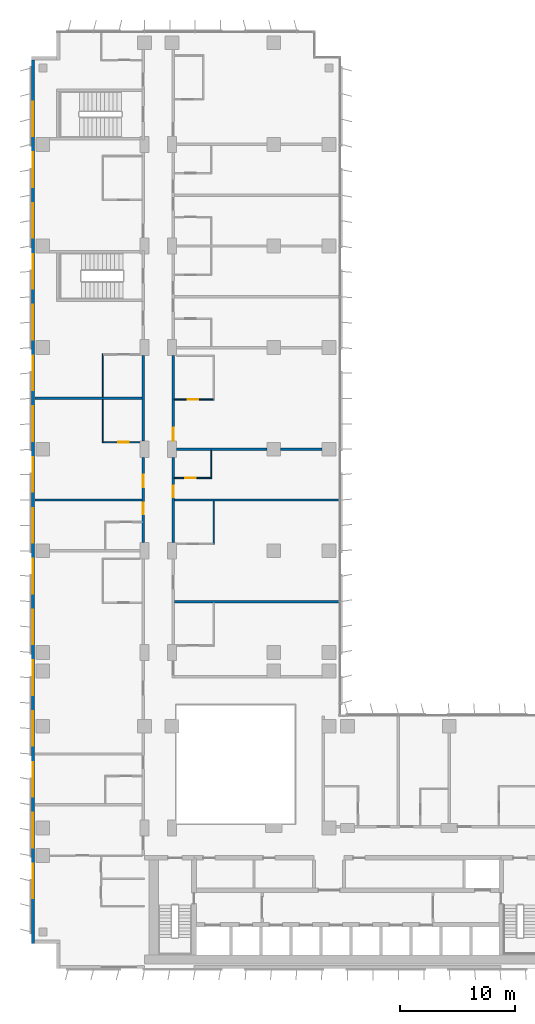
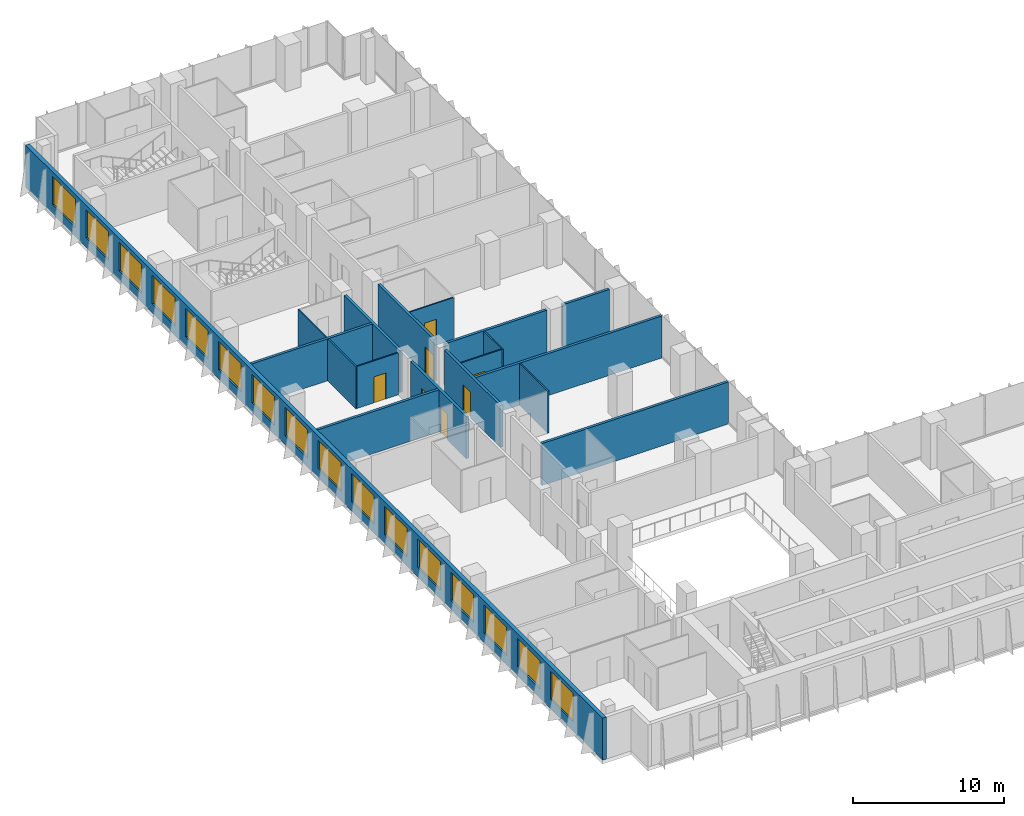
# One storey, part 15 of 22: 18 walls, 16 windows, 7 doors, 23 openings.
"""IFC4 building model written with IfcOpenShell, lengths in metres."""

from ifc_helpers import new_model, si_unit, direction, frame, frame_2d, origin, place, context, subcontext, project, spatial, rectangle, extrude, material, layer, layer_set, type_object, element, fill, save


model = new_model("IFC4")

# Units and contexts
model_context = context("Model", 3, precision=1e-05, world=origin(), true_north=direction((0.0, 1.0)))
body_context = subcontext(model_context, "Body", "Model", "MODEL_VIEW")
ifc_project = project(units=[si_unit("LENGTHUNIT", "METRE"), si_unit("AREAUNIT", "SQUARE_METRE"), si_unit("VOLUMEUNIT", "CUBIC_METRE"), si_unit("PLANEANGLEUNIT", "RADIAN"), si_unit("MASSUNIT", "GRAM", prefix="KILO")], contexts=[model_context])

# Site, building, storey
site_placement = place(None, origin())
site = spatial("IfcSite", under=ifc_project, at=site_placement, CompositionType="ELEMENT")
building_placement = place(site_placement, origin())
building = spatial("IfcBuilding", under=site, at=building_placement, Name="Kemantara Hotel Tower", CompositionType="ELEMENT")
storey_placement = place(building_placement, frame((0.0, 0.0, 94.5)))
storey = spatial("IfcBuildingStorey", under=building, at=storey_placement, Name="L22", CompositionType="ELEMENT", Elevation=94.5)

# Wall, openings, windows
ifc_material_1 = material(Name="Bronze anodised aluminium cladding on insulated steel stud wall", Category="steel")
ifc_layer_1 = layer(ifc_material_1, 0.300048828125)
ifc_layer_set_1 = layer_set([ifc_layer_1], Name="Bronze anodised aluminium cladding on insulated steel stud wall")
wall_type_1 = type_object("IfcWallType", Name="BRONZE METAL-CLAD EXTERNAL WALL 300", PredefinedType="STANDARD", material=ifc_layer_set_1)
wall_1_placement = place(storey_placement, frame((0.14990234375, 78.699951171875, 0.0), z_axis=(0.0, 0.0, 1.0), x_axis=(0.0, -1.0, 0.0)))
wall_1 = element("IfcWall", 1, at=wall_1_placement, inside=storey, type_object=wall_type_1, Name="EXTERNAL WALL L22 T2-R04", PredefinedType="STANDARD", context=body_context, shape_type="SweptSolid", body=[
    extrude(rectangle(XDim=76.5, YDim=0.300048828125, at=frame_2d((38.25, 0.0))), origin(), (0.0, 0.0, 1.0), 3.39990234375),
])
opening_1_placement = place(wall_1_placement, frame((3.60009765625, 0.0, 0.75)))
opening_1 = element("IfcOpeningElement", 2, at=opening_1_placement, cuts=wall_1, Name="Opening W1", PredefinedType="OPENING", context=body_context, shape_type="SweptSolid", body=[
    extrude(rectangle(XDim=3.0, YDim=2.300048828125, at=frame_2d((1.5, 1.14990234375))), frame((0.0, 0.159912109375, 0.0), z_axis=(0.0, -1.0, 0.0), x_axis=(1.0, 0.0, 0.0)), (0.0, 0.0, 1.0), 0.320068359375),
])
opening_2_placement = place(wall_1_placement, frame((8.0, 0.0, 0.75)))
opening_2 = element("IfcOpeningElement", 3, at=opening_2_placement, cuts=wall_1, Name="Opening W1", PredefinedType="OPENING", context=body_context, shape_type="SweptSolid", body=[
    extrude(rectangle(XDim=3.0, YDim=2.300048828125, at=frame_2d((1.5, 1.14990234375))), frame((0.0, 0.159912109375, 0.0), z_axis=(0.0, -1.0, 0.0), x_axis=(1.0, 0.0, 0.0)), (0.0, 0.0, 1.0), 0.320068359375),
])
opening_3_placement = place(wall_1_placement, frame((12.39990234375, 0.0, 0.75)))
opening_3 = element("IfcOpeningElement", 4, at=opening_3_placement, cuts=wall_1, Name="Opening W1", PredefinedType="OPENING", context=body_context, shape_type="SweptSolid", body=[
    extrude(rectangle(XDim=3.0, YDim=2.300048828125, at=frame_2d((1.5, 1.14990234375))), frame((0.0, 0.159912109375, 0.0), z_axis=(0.0, -1.0, 0.0), x_axis=(1.0, 0.0, 0.0)), (0.0, 0.0, 1.0), 0.320068359375),
])
opening_4_placement = place(wall_1_placement, frame((16.800048828125, 0.0, 0.75)))
opening_4 = element("IfcOpeningElement", 5, at=opening_4_placement, cuts=wall_1, Name="Opening W1", PredefinedType="OPENING", context=body_context, shape_type="SweptSolid", body=[
    extrude(rectangle(XDim=3.0, YDim=2.300048828125, at=frame_2d((1.5, 1.14990234375))), frame((0.0, 0.159912109375, 0.0), z_axis=(0.0, -1.0, 0.0), x_axis=(1.0, 0.0, 0.0)), (0.0, 0.0, 1.0), 0.320068359375),
])
opening_5_placement = place(wall_1_placement, frame((21.199951171875, 0.0, 0.75)))
opening_5 = element("IfcOpeningElement", 6, at=opening_5_placement, cuts=wall_1, Name="Opening W1", PredefinedType="OPENING", context=body_context, shape_type="SweptSolid", body=[
    extrude(rectangle(XDim=3.0, YDim=2.300048828125, at=frame_2d((1.5, 1.14990234375))), frame((0.0, 0.159912109375, 0.0), z_axis=(0.0, -1.0, 0.0), x_axis=(1.0, 0.0, 0.0)), (0.0, 0.0, 1.0), 0.320068359375),
])
opening_6_placement = place(wall_1_placement, frame((25.60009765625, 0.0, 0.75)))
opening_6 = element("IfcOpeningElement", 7, at=opening_6_placement, cuts=wall_1, Name="Opening W1", PredefinedType="OPENING", context=body_context, shape_type="SweptSolid", body=[
    extrude(rectangle(XDim=3.0, YDim=2.300048828125, at=frame_2d((1.5, 1.14990234375))), frame((0.0, 0.159912109375, 0.0), z_axis=(0.0, -1.0, 0.0), x_axis=(1.0, 0.0, 0.0)), (0.0, 0.0, 1.0), 0.320068359375),
])
opening_7_placement = place(wall_1_placement, frame((30.0, 0.0, 0.75)))
opening_7 = element("IfcOpeningElement", 8, at=opening_7_placement, cuts=wall_1, Name="Opening W1", PredefinedType="OPENING", context=body_context, shape_type="SweptSolid", body=[
    extrude(rectangle(XDim=3.0, YDim=2.300048828125, at=frame_2d((1.5, 1.14990234375))), frame((0.0, 0.159912109375, 0.0), z_axis=(0.0, -1.0, 0.0), x_axis=(1.0, 0.0, 0.0)), (0.0, 0.0, 1.0), 0.320068359375),
])
opening_8_placement = place(wall_1_placement, frame((34.39990234375, 0.0, 0.75)))
opening_8 = element("IfcOpeningElement", 9, at=opening_8_placement, cuts=wall_1, Name="Opening W1", PredefinedType="OPENING", context=body_context, shape_type="SweptSolid", body=[
    extrude(rectangle(XDim=3.0, YDim=2.300048828125, at=frame_2d((1.5, 1.14990234375))), frame((0.0, 0.159912109375, 0.0), z_axis=(0.0, -1.0, 0.0), x_axis=(1.0, 0.0, 0.0)), (0.0, 0.0, 1.0), 0.320068359375),
])
opening_9_placement = place(wall_1_placement, frame((38.800048828125, 0.0, 0.75)))
opening_9 = element("IfcOpeningElement", 10, at=opening_9_placement, cuts=wall_1, Name="Opening W1", PredefinedType="OPENING", context=body_context, shape_type="SweptSolid", body=[
    extrude(rectangle(XDim=3.0, YDim=2.300048828125, at=frame_2d((1.5, 1.14990234375))), frame((0.0, 0.159912109375, 0.0), z_axis=(0.0, -1.0, 0.0), x_axis=(1.0, 0.0, 0.0)), (0.0, 0.0, 1.0), 0.320068359375),
])
opening_10_placement = place(wall_1_placement, frame((43.199951171875, 0.0, 0.75)))
opening_10 = element("IfcOpeningElement", 11, at=opening_10_placement, cuts=wall_1, Name="Opening W1", PredefinedType="OPENING", context=body_context, shape_type="SweptSolid", body=[
    extrude(rectangle(XDim=3.0, YDim=2.300048828125, at=frame_2d((1.5, 1.14990234375))), frame((0.0, 0.159912109375, 0.0), z_axis=(0.0, -1.0, 0.0), x_axis=(1.0, 0.0, 0.0)), (0.0, 0.0, 1.0), 0.320068359375),
])
opening_11_placement = place(wall_1_placement, frame((47.60009765625, 0.0, 0.75)))
opening_11 = element("IfcOpeningElement", 12, at=opening_11_placement, cuts=wall_1, Name="Opening W1", PredefinedType="OPENING", context=body_context, shape_type="SweptSolid", body=[
    extrude(rectangle(XDim=3.0, YDim=2.300048828125, at=frame_2d((1.5, 1.14990234375))), frame((0.0, 0.159912109375, 0.0), z_axis=(0.0, -1.0, 0.0), x_axis=(1.0, 0.0, 0.0)), (0.0, 0.0, 1.0), 0.320068359375),
])
opening_12_placement = place(wall_1_placement, frame((52.0, 0.0, 0.75)))
opening_12 = element("IfcOpeningElement", 13, at=opening_12_placement, cuts=wall_1, Name="Opening W1", PredefinedType="OPENING", context=body_context, shape_type="SweptSolid", body=[
    extrude(rectangle(XDim=3.0, YDim=2.300048828125, at=frame_2d((1.5, 1.14990234375))), frame((0.0, 0.159912109375, 0.0), z_axis=(0.0, -1.0, 0.0), x_axis=(1.0, 0.0, 0.0)), (0.0, 0.0, 1.0), 0.320068359375),
])
opening_13_placement = place(wall_1_placement, frame((56.39990234375, 0.0, 0.75)))
opening_13 = element("IfcOpeningElement", 14, at=opening_13_placement, cuts=wall_1, Name="Opening W1", PredefinedType="OPENING", context=body_context, shape_type="SweptSolid", body=[
    extrude(rectangle(XDim=3.0, YDim=2.300048828125, at=frame_2d((1.5, 1.14990234375))), frame((0.0, 0.159912109375, 0.0), z_axis=(0.0, -1.0, 0.0), x_axis=(1.0, 0.0, 0.0)), (0.0, 0.0, 1.0), 0.320068359375),
])
opening_14_placement = place(wall_1_placement, frame((60.800048828125, 0.0, 0.75)))
opening_14 = element("IfcOpeningElement", 15, at=opening_14_placement, cuts=wall_1, Name="Opening W1", PredefinedType="OPENING", context=body_context, shape_type="SweptSolid", body=[
    extrude(rectangle(XDim=3.0, YDim=2.300048828125, at=frame_2d((1.5, 1.14990234375))), frame((0.0, 0.159912109375, 0.0), z_axis=(0.0, -1.0, 0.0), x_axis=(1.0, 0.0, 0.0)), (0.0, 0.0, 1.0), 0.320068359375),
])
opening_15_placement = place(wall_1_placement, frame((65.199951171875, 0.0, 0.75)))
opening_15 = element("IfcOpeningElement", 16, at=opening_15_placement, cuts=wall_1, Name="Opening W1", PredefinedType="OPENING", context=body_context, shape_type="SweptSolid", body=[
    extrude(rectangle(XDim=3.0, YDim=2.300048828125, at=frame_2d((1.5, 1.14990234375))), frame((0.0, 0.159912109375, 0.0), z_axis=(0.0, -1.0, 0.0), x_axis=(1.0, 0.0, 0.0)), (0.0, 0.0, 1.0), 0.320068359375),
])
opening_16_placement = place(wall_1_placement, frame((69.60009765625, 0.0, 0.75)))
opening_16 = element("IfcOpeningElement", 17, at=opening_16_placement, cuts=wall_1, Name="Opening W1", PredefinedType="OPENING", context=body_context, shape_type="SweptSolid", body=[
    extrude(rectangle(XDim=3.0, YDim=2.300048828125, at=frame_2d((1.5, 1.14990234375))), frame((0.0, 0.159912109375, 0.0), z_axis=(0.0, -1.0, 0.0), x_axis=(1.0, 0.0, 0.0)), (0.0, 0.0, 1.0), 0.320068359375),
])
ifc_material_2 = material(Name="Low-E tinted double insulated glass in bronze anodised aluminium frame", Category="aluminium")
window_type = type_object("IfcWindowType", Name="CHICAGO WINDOW, TRIPLE PANEL 3000x2300", PartitioningType="TRIPLE_PANEL_VERTICAL", PredefinedType="WINDOW", material=ifc_material_2)
window_1_placement = place(opening_1_placement, origin())
window_1 = element("IfcWindow", 18, at=window_1_placement, inside=storey, type_object=window_type, Name="CHICAGO WINDOW L22 T2-R04-54", OverallHeight=2.300048828125, OverallWidth=3.0, PartitioningType="SINGLE_PANEL", PredefinedType="WINDOW", context=body_context, shape_type="SweptSolid", body=[
    extrude(rectangle(XDim=3.0, YDim=2.300048828125, at=frame_2d((1.5, 1.14990234375))), frame((0.0, 0.030029296875, 0.0), z_axis=(0.0, -1.0, 0.0), x_axis=(1.0, 0.0, 0.0)), (0.0, 0.0, 1.0), 0.06005859375),
])
fill(opening_1, window_1)
window_2_placement = place(opening_2_placement, origin())
window_2 = element("IfcWindow", 19, at=window_2_placement, inside=storey, type_object=window_type, Name="CHICAGO WINDOW L22 T2-R04-98", OverallHeight=2.300048828125, OverallWidth=3.0, PartitioningType="SINGLE_PANEL", PredefinedType="WINDOW", context=body_context, shape_type="SweptSolid", body=[
    extrude(rectangle(XDim=3.0, YDim=2.300048828125, at=frame_2d((1.5, 1.14990234375))), frame((0.0, 0.030029296875, 0.0), z_axis=(0.0, -1.0, 0.0), x_axis=(1.0, 0.0, 0.0)), (0.0, 0.0, 1.0), 0.06005859375),
])
fill(opening_2, window_2)
window_3_placement = place(opening_3_placement, origin())
window_3 = element("IfcWindow", 20, at=window_3_placement, inside=storey, type_object=window_type, Name="CHICAGO WINDOW L22 T2-R04-142", OverallHeight=2.300048828125, OverallWidth=3.0, PartitioningType="SINGLE_PANEL", PredefinedType="WINDOW", context=body_context, shape_type="SweptSolid", body=[
    extrude(rectangle(XDim=3.0, YDim=2.300048828125, at=frame_2d((1.5, 1.14990234375))), frame((0.0, 0.030029296875, 0.0), z_axis=(0.0, -1.0, 0.0), x_axis=(1.0, 0.0, 0.0)), (0.0, 0.0, 1.0), 0.06005859375),
])
fill(opening_3, window_3)
window_4_placement = place(opening_4_placement, origin())
window_4 = element("IfcWindow", 21, at=window_4_placement, inside=storey, type_object=window_type, Name="CHICAGO WINDOW L22 T2-R04-186", OverallHeight=2.300048828125, OverallWidth=3.0, PartitioningType="SINGLE_PANEL", PredefinedType="WINDOW", context=body_context, shape_type="SweptSolid", body=[
    extrude(rectangle(XDim=3.0, YDim=2.300048828125, at=frame_2d((1.5, 1.14990234375))), frame((0.0, 0.030029296875, 0.0), z_axis=(0.0, -1.0, 0.0), x_axis=(1.0, 0.0, 0.0)), (0.0, 0.0, 1.0), 0.06005859375),
])
fill(opening_4, window_4)
window_5_placement = place(opening_5_placement, origin())
window_5 = element("IfcWindow", 22, at=window_5_placement, inside=storey, type_object=window_type, Name="CHICAGO WINDOW L22 T2-R04-230", OverallHeight=2.300048828125, OverallWidth=3.0, PartitioningType="SINGLE_PANEL", PredefinedType="WINDOW", context=body_context, shape_type="SweptSolid", body=[
    extrude(rectangle(XDim=3.0, YDim=2.300048828125, at=frame_2d((1.5, 1.14990234375))), frame((0.0, 0.030029296875, 0.0), z_axis=(0.0, -1.0, 0.0), x_axis=(1.0, 0.0, 0.0)), (0.0, 0.0, 1.0), 0.06005859375),
])
fill(opening_5, window_5)
window_6_placement = place(opening_6_placement, origin())
window_6 = element("IfcWindow", 23, at=window_6_placement, inside=storey, type_object=window_type, Name="CHICAGO WINDOW L22 T2-R04-274", OverallHeight=2.300048828125, OverallWidth=3.0, PartitioningType="SINGLE_PANEL", PredefinedType="WINDOW", context=body_context, shape_type="SweptSolid", body=[
    extrude(rectangle(XDim=3.0, YDim=2.300048828125, at=frame_2d((1.5, 1.14990234375))), frame((0.0, 0.030029296875, 0.0), z_axis=(0.0, -1.0, 0.0), x_axis=(1.0, 0.0, 0.0)), (0.0, 0.0, 1.0), 0.06005859375),
])
fill(opening_6, window_6)
window_7_placement = place(opening_7_placement, origin())
window_7 = element("IfcWindow", 24, at=window_7_placement, inside=storey, type_object=window_type, Name="CHICAGO WINDOW L22 T2-R04-318", OverallHeight=2.300048828125, OverallWidth=3.0, PartitioningType="SINGLE_PANEL", PredefinedType="WINDOW", context=body_context, shape_type="SweptSolid", body=[
    extrude(rectangle(XDim=3.0, YDim=2.300048828125, at=frame_2d((1.5, 1.14990234375))), frame((0.0, 0.030029296875, 0.0), z_axis=(0.0, -1.0, 0.0), x_axis=(1.0, 0.0, 0.0)), (0.0, 0.0, 1.0), 0.06005859375),
])
fill(opening_7, window_7)
window_8_placement = place(opening_8_placement, origin())
window_8 = element("IfcWindow", 25, at=window_8_placement, inside=storey, type_object=window_type, Name="CHICAGO WINDOW L22 T2-R04-362", OverallHeight=2.300048828125, OverallWidth=3.0, PartitioningType="SINGLE_PANEL", PredefinedType="WINDOW", context=body_context, shape_type="SweptSolid", body=[
    extrude(rectangle(XDim=3.0, YDim=2.300048828125, at=frame_2d((1.5, 1.14990234375))), frame((0.0, 0.030029296875, 0.0), z_axis=(0.0, -1.0, 0.0), x_axis=(1.0, 0.0, 0.0)), (0.0, 0.0, 1.0), 0.06005859375),
])
fill(opening_8, window_8)
window_9_placement = place(opening_9_placement, origin())
window_9 = element("IfcWindow", 26, at=window_9_placement, inside=storey, type_object=window_type, Name="CHICAGO WINDOW L22 T2-R04-406", OverallHeight=2.300048828125, OverallWidth=3.0, PartitioningType="SINGLE_PANEL", PredefinedType="WINDOW", context=body_context, shape_type="SweptSolid", body=[
    extrude(rectangle(XDim=3.0, YDim=2.300048828125, at=frame_2d((1.5, 1.14990234375))), frame((0.0, 0.030029296875, 0.0), z_axis=(0.0, -1.0, 0.0), x_axis=(1.0, 0.0, 0.0)), (0.0, 0.0, 1.0), 0.06005859375),
])
fill(opening_9, window_9)
window_10_placement = place(opening_10_placement, origin())
window_10 = element("IfcWindow", 27, at=window_10_placement, inside=storey, type_object=window_type, Name="CHICAGO WINDOW L22 T2-R04-450", OverallHeight=2.300048828125, OverallWidth=3.0, PartitioningType="SINGLE_PANEL", PredefinedType="WINDOW", context=body_context, shape_type="SweptSolid", body=[
    extrude(rectangle(XDim=3.0, YDim=2.300048828125, at=frame_2d((1.5, 1.14990234375))), frame((0.0, 0.030029296875, 0.0), z_axis=(0.0, -1.0, 0.0), x_axis=(1.0, 0.0, 0.0)), (0.0, 0.0, 1.0), 0.06005859375),
])
fill(opening_10, window_10)
window_11_placement = place(opening_11_placement, origin())
window_11 = element("IfcWindow", 28, at=window_11_placement, inside=storey, type_object=window_type, Name="CHICAGO WINDOW L22 T2-R04-494", OverallHeight=2.300048828125, OverallWidth=3.0, PartitioningType="SINGLE_PANEL", PredefinedType="WINDOW", context=body_context, shape_type="SweptSolid", body=[
    extrude(rectangle(XDim=3.0, YDim=2.300048828125, at=frame_2d((1.5, 1.14990234375))), frame((0.0, 0.030029296875, 0.0), z_axis=(0.0, -1.0, 0.0), x_axis=(1.0, 0.0, 0.0)), (0.0, 0.0, 1.0), 0.06005859375),
])
fill(opening_11, window_11)
window_12_placement = place(opening_12_placement, origin())
window_12 = element("IfcWindow", 29, at=window_12_placement, inside=storey, type_object=window_type, Name="CHICAGO WINDOW L22 T2-R04-538", OverallHeight=2.300048828125, OverallWidth=3.0, PartitioningType="SINGLE_PANEL", PredefinedType="WINDOW", context=body_context, shape_type="SweptSolid", body=[
    extrude(rectangle(XDim=3.0, YDim=2.300048828125, at=frame_2d((1.5, 1.14990234375))), frame((0.0, 0.030029296875, 0.0), z_axis=(0.0, -1.0, 0.0), x_axis=(1.0, 0.0, 0.0)), (0.0, 0.0, 1.0), 0.06005859375),
])
fill(opening_12, window_12)
window_13_placement = place(opening_13_placement, origin())
window_13 = element("IfcWindow", 30, at=window_13_placement, inside=storey, type_object=window_type, Name="CHICAGO WINDOW L22 T2-R04-582", OverallHeight=2.300048828125, OverallWidth=3.0, PartitioningType="SINGLE_PANEL", PredefinedType="WINDOW", context=body_context, shape_type="SweptSolid", body=[
    extrude(rectangle(XDim=3.0, YDim=2.300048828125, at=frame_2d((1.5, 1.14990234375))), frame((0.0, 0.030029296875, 0.0), z_axis=(0.0, -1.0, 0.0), x_axis=(1.0, 0.0, 0.0)), (0.0, 0.0, 1.0), 0.06005859375),
])
fill(opening_13, window_13)
window_14_placement = place(opening_14_placement, origin())
window_14 = element("IfcWindow", 31, at=window_14_placement, inside=storey, type_object=window_type, Name="CHICAGO WINDOW L22 T2-R04-626", OverallHeight=2.300048828125, OverallWidth=3.0, PartitioningType="SINGLE_PANEL", PredefinedType="WINDOW", context=body_context, shape_type="SweptSolid", body=[
    extrude(rectangle(XDim=3.0, YDim=2.300048828125, at=frame_2d((1.5, 1.14990234375))), frame((0.0, 0.030029296875, 0.0), z_axis=(0.0, -1.0, 0.0), x_axis=(1.0, 0.0, 0.0)), (0.0, 0.0, 1.0), 0.06005859375),
])
fill(opening_14, window_14)
window_15_placement = place(opening_15_placement, origin())
window_15 = element("IfcWindow", 32, at=window_15_placement, inside=storey, type_object=window_type, Name="CHICAGO WINDOW L22 T2-R04-670", OverallHeight=2.300048828125, OverallWidth=3.0, PartitioningType="SINGLE_PANEL", PredefinedType="WINDOW", context=body_context, shape_type="SweptSolid", body=[
    extrude(rectangle(XDim=3.0, YDim=2.300048828125, at=frame_2d((1.5, 1.14990234375))), frame((0.0, 0.030029296875, 0.0), z_axis=(0.0, -1.0, 0.0), x_axis=(1.0, 0.0, 0.0)), (0.0, 0.0, 1.0), 0.06005859375),
])
fill(opening_15, window_15)
window_16_placement = place(opening_16_placement, origin())
window_16 = element("IfcWindow", 33, at=window_16_placement, inside=storey, type_object=window_type, Name="CHICAGO WINDOW L22 T2-R04-714", OverallHeight=2.300048828125, OverallWidth=3.0, PartitioningType="SINGLE_PANEL", PredefinedType="WINDOW", context=body_context, shape_type="SweptSolid", body=[
    extrude(rectangle(XDim=3.0, YDim=2.300048828125, at=frame_2d((1.5, 1.14990234375))), frame((0.0, 0.030029296875, 0.0), z_axis=(0.0, -1.0, 0.0), x_axis=(1.0, 0.0, 0.0)), (0.0, 0.0, 1.0), 0.06005859375),
])
fill(opening_16, window_16)

# Wall, openings, doors
ifc_material_3 = material(Name="Gypsum board partition, steel studs and mineral wool, 200 mm", Category="steel")
ifc_layer_2 = layer(ifc_material_3, 0.199951171875)
ifc_layer_set_2 = layer_set([ifc_layer_2], Name="Gypsum board partition, steel studs and mineral wool, 200 mm")
wall_type_2 = type_object("IfcWallType", Name="CORRIDOR WALL 200", PredefinedType="PARTITIONING", material=ifc_layer_set_2)
wall_2_placement = place(storey_placement, frame((9.699951171875, 36.900146484375, 0.0), z_axis=(0.0, 0.0, 1.0), x_axis=(0.0, 1.0, 0.0)))
wall_2 = element("IfcWall", 34, at=wall_2_placement, inside=storey, type_object=wall_type_2, Name="CORRIDOR WALL 200 019", PredefinedType="PARTITIONING", context=body_context, shape_type="SweptSolid", body=[
    extrude(rectangle(XDim=7.399658203125, YDim=0.199951171875, at=frame_2d((3.69970703125, 0.0))), origin(), (0.0, 0.0, 1.0), 3.39990234375),
])
opening_17_placement = place(wall_2_placement, frame((2.449951171875, 0.0, 0.0)))
opening_17 = element("IfcOpeningElement", 35, at=opening_17_placement, cuts=wall_2, Name="Opening F08-023", PredefinedType="OPENING", context=body_context, shape_type="SweptSolid", body=[
    extrude(rectangle(XDim=1.0, YDim=2.10009765625, at=frame_2d((0.5, 1.050048828125))), frame((0.0, 0.10986328125, 0.0), z_axis=(0.0, -1.0, 0.0), x_axis=(1.0, 0.0, 0.0)), (0.0, 0.0, 1.0), 0.219970703125),
])
opening_18_placement = place(wall_2_placement, frame((4.7998046875, 0.0, 0.0)))
opening_18 = element("IfcOpeningElement", 36, at=opening_18_placement, cuts=wall_2, Name="Opening F08-025", PredefinedType="OPENING", context=body_context, shape_type="SweptSolid", body=[
    extrude(rectangle(XDim=1.10009765625, YDim=2.10009765625, at=frame_2d((0.550048828125, 1.050048828125))), frame((0.0, 0.10986328125, 0.0), z_axis=(0.0, -1.0, 0.0), x_axis=(1.0, 0.0, 0.0)), (0.0, 0.0, 1.0), 0.219970703125),
])
ifc_material_4 = material(Name="Hardwood veneer door leaf with steel frame", Category="steel")
door_type_1 = type_object("IfcDoorType", Name="GUEST ROOM DOOR 1000 X 2100 FD30S", OperationType="NOTDEFINED", PredefinedType="DOOR", material=ifc_material_4)
door_1_placement = place(opening_17_placement, origin())
door_1 = element("IfcDoor", 37, at=door_1_placement, inside=storey, type_object=door_type_1, Name="GUEST ROOM DOOR F08-023", OperationType="SINGLE_SWING_RIGHT", OverallHeight=2.10009765625, OverallWidth=1.0, PredefinedType="DOOR", context=body_context, shape_type="SweptSolid", body=[
    extrude(rectangle(XDim=1.0, YDim=2.10009765625, at=frame_2d((0.5, 1.050048828125))), frame((0.0, 0.02490234375, 0.0), z_axis=(0.0, -1.0, 0.0), x_axis=(1.0, 0.0, 0.0)), (0.0, 0.0, 1.0), 0.050048828125),
])
fill(opening_17, door_1)
door_type_2 = type_object("IfcDoorType", Name="SUITE ENTRANCE DOOR 1100 X 2100 FD30S", OperationType="NOTDEFINED", PredefinedType="DOOR", material=ifc_material_4)
door_2_placement = place(opening_18_placement, origin())
door_2 = element("IfcDoor", 38, at=door_2_placement, inside=storey, type_object=door_type_2, Name="SUITE ENTRANCE DOOR F08-025", OperationType="SINGLE_SWING_LEFT", OverallHeight=2.10009765625, OverallWidth=1.10009765625, PredefinedType="DOOR", context=body_context, shape_type="SweptSolid", body=[
    extrude(rectangle(XDim=1.10009765625, YDim=2.10009765625, at=frame_2d((0.550048828125, 1.050048828125))), frame((0.0, 0.02490234375, 0.0), z_axis=(0.0, -1.0, 0.0), x_axis=(1.0, 0.0, 0.0)), (0.0, 0.0, 1.0), 0.050048828125),
])
fill(opening_18, door_2)

# Wall
wall_3_placement = place(storey_placement, frame((9.699951171875, 45.7001953125, 0.0), z_axis=(0.0, 0.0, 1.0), x_axis=(0.0, 1.0, 0.0)))
element("IfcWall", 39, at=wall_3_placement, inside=storey, type_object=wall_type_2, Name="CORRIDOR WALL 200 020", PredefinedType="PARTITIONING", context=body_context, shape_type="SweptSolid", body=[
    extrude(rectangle(XDim=7.399658203125, YDim=0.199951171875, at=frame_2d((3.69970703125, 0.0))), origin(), (0.0, 0.0, 1.0), 3.39990234375),
])

# Wall, opening, door
wall_4_placement = place(storey_placement, frame((12.300048828125, 44.2998046875, 0.0), z_axis=(0.0, 0.0, 1.0), x_axis=(0.0, -1.0, 0.0)))
wall_4 = element("IfcWall", 40, at=wall_4_placement, inside=storey, type_object=wall_type_2, Name="CORRIDOR WALL 200 032", PredefinedType="PARTITIONING", context=body_context, shape_type="SweptSolid", body=[
    extrude(rectangle(XDim=7.399658203125, YDim=0.199951171875, at=frame_2d((3.69970703125, 0.0))), origin(), (0.0, 0.0, 1.0), 3.39990234375),
])
opening_19_placement = place(wall_4_placement, frame((2.449951171875, 0.0, 0.0)))
opening_19 = element("IfcOpeningElement", 41, at=opening_19_placement, cuts=wall_4, Name="Opening F08-037", PredefinedType="OPENING", context=body_context, shape_type="SweptSolid", body=[
    extrude(rectangle(XDim=1.0, YDim=2.10009765625, at=frame_2d((0.5, 1.050048828125))), frame((0.0, 0.10986328125, 0.0), z_axis=(0.0, -1.0, 0.0), x_axis=(1.0, 0.0, 0.0)), (0.0, 0.0, 1.0), 0.219970703125),
])
door_3_placement = place(opening_19_placement, origin())
door_3 = element("IfcDoor", 42, at=door_3_placement, inside=storey, type_object=door_type_1, Name="GUEST ROOM DOOR F08-037", OperationType="SINGLE_SWING_RIGHT", OverallHeight=2.10009765625, OverallWidth=1.0, PredefinedType="DOOR", context=body_context, shape_type="SweptSolid", body=[
    extrude(rectangle(XDim=1.0, YDim=2.10009765625, at=frame_2d((0.5, 1.050048828125))), frame((0.0, 0.02490234375, 0.0), z_axis=(0.0, -1.0, 0.0), x_axis=(1.0, 0.0, 0.0)), (0.0, 0.0, 1.0), 0.050048828125),
])
fill(opening_19, door_3)

wall_5_placement = place(storey_placement, frame((12.300048828125, 53.099853515625, 0.0), z_axis=(0.0, 0.0, 1.0), x_axis=(0.0, -1.0, 0.0)))
wall_5 = element("IfcWall", 43, at=wall_5_placement, inside=storey, type_object=wall_type_2, Name="CORRIDOR WALL 200 033", PredefinedType="PARTITIONING", context=body_context, shape_type="SweptSolid", body=[
    extrude(rectangle(XDim=7.399658203125, YDim=0.199951171875, at=frame_2d((3.69970703125, 0.0))), origin(), (0.0, 0.0, 1.0), 3.39990234375),
])
opening_20_placement = place(wall_5_placement, frame((6.25, 0.0, 0.0)))
opening_20 = element("IfcOpeningElement", 44, at=opening_20_placement, cuts=wall_5, Name="Opening F08-039", PredefinedType="OPENING", context=body_context, shape_type="SweptSolid", body=[
    extrude(rectangle(XDim=1.10009765625, YDim=2.10009765625, at=frame_2d((0.550048828125, 1.050048828125))), frame((0.0, 0.10986328125, 0.0), z_axis=(0.0, -1.0, 0.0), x_axis=(1.0, 0.0, 0.0)), (0.0, 0.0, 1.0), 0.219970703125),
])
door_4_placement = place(opening_20_placement, origin())
door_4 = element("IfcDoor", 45, at=door_4_placement, inside=storey, type_object=door_type_2, Name="SUITE ENTRANCE DOOR F08-039", OperationType="SINGLE_SWING_RIGHT", OverallHeight=2.10009765625, OverallWidth=1.10009765625, PredefinedType="DOOR", context=body_context, shape_type="SweptSolid", body=[
    extrude(rectangle(XDim=1.10009765625, YDim=2.10009765625, at=frame_2d((0.550048828125, 1.050048828125))), frame((0.0, 0.02490234375, 0.0), z_axis=(0.0, -1.0, 0.0), x_axis=(1.0, 0.0, 0.0)), (0.0, 0.0, 1.0), 0.050048828125),
])
fill(opening_20, door_4)

# Walls
ifc_layer_3 = layer(ifc_material_3, 0.199951171875)
ifc_layer_set_3 = layer_set([ifc_layer_3], Name="Gypsum board partition, steel studs and mineral wool, 200 mm")
wall_type_3 = type_object("IfcWallType", Name="GUEST ROOM PARTY WALL 200", PredefinedType="PARTITIONING", material=ifc_layer_set_3)
wall_6_placement = place(storey_placement, frame((0.31005859375, 40.60009765625, 0.0), z_axis=(0.0, 0.0, 1.0), x_axis=(1.0, 0.0, 0.0)))
element("IfcWall", 46, at=wall_6_placement, inside=storey, type_object=wall_type_3, Name="GUEST ROOM PARTY WALL 200 027", PredefinedType="PARTITIONING", context=body_context, shape_type="SweptSolid", body=[
    extrude(rectangle(XDim=9.2900390625, YDim=0.199951171875, at=frame_2d((4.64501953125, 0.0))), origin(), (0.0, 0.0, 1.0), 3.39990234375),
])
wall_7_placement = place(storey_placement, frame((12.39990234375, 40.60009765625, 0.0), z_axis=(0.0, 0.0, 1.0), x_axis=(1.0, 0.0, 0.0)))
element("IfcWall", 47, at=wall_7_placement, inside=storey, type_object=wall_type_3, Name="GUEST ROOM PARTY WALL 200 028", PredefinedType="PARTITIONING", context=body_context, shape_type="SweptSolid", body=[
    extrude(rectangle(XDim=14.27001953125, YDim=0.199951171875, at=frame_2d((7.135009765625, 0.0))), origin(), (0.0, 0.0, 1.0), 3.39990234375),
])
wall_8_placement = place(storey_placement, frame((0.31005859375, 49.39990234375, 0.0), z_axis=(0.0, 0.0, 1.0), x_axis=(1.0, 0.0, 0.0)))
element("IfcWall", 48, at=wall_8_placement, inside=storey, type_object=wall_type_3, Name="GUEST ROOM PARTY WALL 200 029", PredefinedType="PARTITIONING", context=body_context, shape_type="SweptSolid", body=[
    extrude(rectangle(XDim=9.2900390625, YDim=0.199951171875, at=frame_2d((4.64501953125, 0.0))), origin(), (0.0, 0.0, 1.0), 3.39990234375),
])
wall_9_placement = place(storey_placement, frame((12.39990234375, 31.800048828125, 0.0), z_axis=(0.0, 0.0, 1.0), x_axis=(1.0, 0.0, 0.0)))
element("IfcWall", 49, at=wall_9_placement, inside=storey, type_object=wall_type_3, Name="GUEST ROOM PARTY WALL 200 039", PredefinedType="PARTITIONING", context=body_context, shape_type="SweptSolid", body=[
    extrude(rectangle(XDim=14.27001953125, YDim=0.199951171875, at=frame_2d((7.135009765625, 0.0))), origin(), (0.0, 0.0, 1.0), 3.39990234375),
])
wall_10_placement = place(storey_placement, frame((12.60009765625, 45.0, 0.0), z_axis=(0.0, 0.0, 1.0), x_axis=(1.0, 0.0, 0.0)))
element("IfcWall", 50, at=wall_10_placement, inside=storey, type_object=wall_type_3, Name="GUEST ROOM PARTY WALL 200 040", PredefinedType="PARTITIONING", context=body_context, shape_type="SweptSolid", body=[
    extrude(rectangle(XDim=7.7998046875, YDim=0.199951171875, at=frame_2d((3.89990234375, 0.0))), origin(), (0.0, 0.0, 1.0), 3.39990234375),
])
wall_11_placement = place(storey_placement, frame((21.60009765625, 45.0, 0.0), z_axis=(0.0, 0.0, 1.0), x_axis=(1.0, 0.0, 0.0)))
element("IfcWall", 51, at=wall_11_placement, inside=storey, type_object=wall_type_3, Name="GUEST ROOM PARTY WALL 200 041", PredefinedType="PARTITIONING", context=body_context, shape_type="SweptSolid", body=[
    extrude(rectangle(XDim=3.599853515625, YDim=0.199951171875, at=frame_2d((1.7998046875, 0.0))), origin(), (0.0, 0.0, 1.0), 3.39990234375),
])
ifc_material_5 = material(Name="Gypsum board partition on steel studs, 100 mm", Category="steel")
ifc_layer_4 = layer(ifc_material_5, 0.10009765625)
ifc_layer_set_4 = layer_set([ifc_layer_4], Name="Gypsum board partition on steel studs, 100 mm")
wall_type_4 = type_object("IfcWallType", Name="ROOM PARTITION 100", PredefinedType="PARTITIONING", material=ifc_layer_set_4)
for number, where, z_axis, x_axis, name in (
    (52, (6.199951171875, 45.550048828125, 0.0), (0.0, 0.0, 1.0), (0.0, 1.0, 0.0), "ROOM PARTITION 100 074"),
    (53, (6.199951171875, 49.5, 0.0), (0.0, 0.0, 1.0), (0.0, 1.0, 0.0), "ROOM PARTITION 100 075"),
):
    element("IfcWall", number, at=place(storey_placement, frame(where, z_axis=z_axis, x_axis=x_axis)), inside=storey, type_object=wall_type_4, Name=name, PredefinedType="PARTITIONING", context=body_context, shape_type="SweptSolid", body=[
        extrude(rectangle(XDim=3.75, YDim=0.10009765625, at=frame_2d((1.875, 0.0))), origin(), (0.0, 0.0, 1.0), 3.39990234375),
    ])

# Wall, opening, door
wall_12_placement = place(storey_placement, frame((6.25, 45.60009765625, 0.0), z_axis=(0.0, 0.0, 1.0), x_axis=(1.0, 0.0, 0.0)))
wall_12 = element("IfcWall", 54, at=wall_12_placement, inside=storey, type_object=wall_type_4, Name="ROOM PARTITION 100 080", PredefinedType="PARTITIONING", context=body_context, shape_type="SweptSolid", body=[
    extrude(rectangle(XDim=3.14990234375, YDim=0.10009765625, at=frame_2d((1.574951171875, 0.0))), origin(), (0.0, 0.0, 1.0), 3.39990234375),
])
opening_21_placement = place(wall_12_placement, frame((1.300048828125, 0.0, 0.0)))
opening_21 = element("IfcOpeningElement", 55, at=opening_21_placement, cuts=wall_12, Name="Opening F08-026", PredefinedType="OPENING", context=body_context, shape_type="SweptSolid", body=[
    extrude(rectangle(XDim=0.89990234375, YDim=2.10009765625, at=frame_2d((0.449951171875, 1.050048828125))), frame((0.0, 0.06005859375, 0.0), z_axis=(0.0, -1.0, 0.0), x_axis=(1.0, 0.0, 0.0)), (0.0, 0.0, 1.0), 0.1201171875),
])
door_type_3 = type_object("IfcDoorType", Name="BATHROOM DOOR 900 X 2100", OperationType="NOTDEFINED", PredefinedType="DOOR", material=ifc_material_4)
door_5_placement = place(opening_21_placement, origin())
door_5 = element("IfcDoor", 56, at=door_5_placement, inside=storey, type_object=door_type_3, Name="BATHROOM DOOR F08-026", OperationType="SINGLE_SWING_RIGHT", OverallHeight=2.10009765625, OverallWidth=0.89990234375, PredefinedType="DOOR", context=body_context, shape_type="SweptSolid", body=[
    extrude(rectangle(XDim=0.89990234375, YDim=2.10009765625, at=frame_2d((0.449951171875, 1.050048828125))), frame((0.0, 0.02490234375, 0.0), z_axis=(0.0, -1.0, 0.0), x_axis=(1.0, 0.0, 0.0)), (0.0, 0.0, 1.0), 0.050048828125),
])
fill(opening_21, door_5)

# Walls
wall_13_placement = place(storey_placement, frame((15.800048828125, 36.75, 0.0), z_axis=(0.0, 0.0, 1.0), x_axis=(0.0, 1.0, 0.0)))
element("IfcWall", 57, at=wall_13_placement, inside=storey, type_object=wall_type_4, Name="ROOM PARTITION 100 086", PredefinedType="PARTITIONING", context=body_context, shape_type="SweptSolid", body=[
    extrude(rectangle(XDim=3.75, YDim=0.10009765625, at=frame_2d((1.875, 0.0))), origin(), (0.0, 0.0, 1.0), 3.39990234375),
])
wall_14_placement = place(storey_placement, frame((15.60009765625, 42.449951171875, 0.0), z_axis=(0.0, 0.0, 1.0), x_axis=(0.0, 1.0, 0.0)))
element("IfcWall", 58, at=wall_14_placement, inside=storey, type_object=wall_type_4, Name="ROOM PARTITION 100 090", PredefinedType="PARTITIONING", context=body_context, shape_type="SweptSolid", body=[
    extrude(rectangle(XDim=2.449951171875, YDim=0.10009765625, at=frame_2d((1.22509765625, 0.0))), origin(), (0.0, 0.0, 1.0), 3.39990234375),
])

# Wall, opening, door
wall_15_placement = place(storey_placement, frame((12.39990234375, 42.5, 0.0), z_axis=(0.0, 0.0, 1.0), x_axis=(1.0, 0.0, 0.0)))
wall_15 = element("IfcWall", 59, at=wall_15_placement, inside=storey, type_object=wall_type_4, Name="ROOM PARTITION 100 095", PredefinedType="PARTITIONING", context=body_context, shape_type="SweptSolid", body=[
    extrude(rectangle(XDim=3.150146484375, YDim=0.10009765625, at=frame_2d((1.5751953125, 0.0))), origin(), (0.0, 0.0, 1.0), 3.39990234375),
])
opening_22_placement = place(wall_15_placement, frame((0.949951171875, 0.0, 0.0)))
opening_22 = element("IfcOpeningElement", 60, at=opening_22_placement, cuts=wall_15, Name="Opening F08-038", PredefinedType="OPENING", context=body_context, shape_type="SweptSolid", body=[
    extrude(rectangle(XDim=0.89990234375, YDim=2.10009765625, at=frame_2d((0.449951171875, 1.050048828125))), frame((0.0, 0.06005859375, 0.0), z_axis=(0.0, -1.0, 0.0), x_axis=(1.0, 0.0, 0.0)), (0.0, 0.0, 1.0), 0.1201171875),
])
door_6_placement = place(opening_22_placement, origin())
door_6 = element("IfcDoor", 61, at=door_6_placement, inside=storey, type_object=door_type_3, Name="BATHROOM DOOR F08-038", OperationType="SINGLE_SWING_LEFT", OverallHeight=2.10009765625, OverallWidth=0.89990234375, PredefinedType="DOOR", context=body_context, shape_type="SweptSolid", body=[
    extrude(rectangle(XDim=0.89990234375, YDim=2.10009765625, at=frame_2d((0.449951171875, 1.050048828125))), frame((0.0, 0.02490234375, 0.0), z_axis=(0.0, -1.0, 0.0), x_axis=(1.0, 0.0, 0.0)), (0.0, 0.0, 1.0), 0.050048828125),
])
fill(opening_22, door_6)

wall_16_placement = place(storey_placement, frame((12.39990234375, 49.300048828125, 0.0), z_axis=(0.0, 0.0, 1.0), x_axis=(1.0, 0.0, 0.0)))
wall_16 = element("IfcWall", 62, at=wall_16_placement, inside=storey, type_object=wall_type_4, Name="ROOM PARTITION 100 096", PredefinedType="PARTITIONING", context=body_context, shape_type="SweptSolid", body=[
    extrude(rectangle(XDim=3.35009765625, YDim=0.10009765625, at=frame_2d((1.675048828125, 0.0))), origin(), (0.0, 0.0, 1.0), 3.39990234375),
])
opening_23_placement = place(wall_16_placement, frame((1.14990234375, 0.0, 0.0)))
opening_23 = element("IfcOpeningElement", 63, at=opening_23_placement, cuts=wall_16, Name="Opening F08-040", PredefinedType="OPENING", context=body_context, shape_type="SweptSolid", body=[
    extrude(rectangle(XDim=0.89990234375, YDim=2.10009765625, at=frame_2d((0.449951171875, 1.050048828125))), frame((0.0, 0.06005859375, 0.0), z_axis=(0.0, -1.0, 0.0), x_axis=(1.0, 0.0, 0.0)), (0.0, 0.0, 1.0), 0.1201171875),
])
door_7_placement = place(opening_23_placement, origin())
door_7 = element("IfcDoor", 64, at=door_7_placement, inside=storey, type_object=door_type_3, Name="BATHROOM DOOR F08-040", OperationType="SINGLE_SWING_LEFT", OverallHeight=2.10009765625, OverallWidth=0.89990234375, PredefinedType="DOOR", context=body_context, shape_type="SweptSolid", body=[
    extrude(rectangle(XDim=0.89990234375, YDim=2.10009765625, at=frame_2d((0.449951171875, 1.050048828125))), frame((0.0, 0.02490234375, 0.0), z_axis=(0.0, -1.0, 0.0), x_axis=(1.0, 0.0, 0.0)), (0.0, 0.0, 1.0), 0.050048828125),
])
fill(opening_23, door_7)

save(model, "model.ifc")
